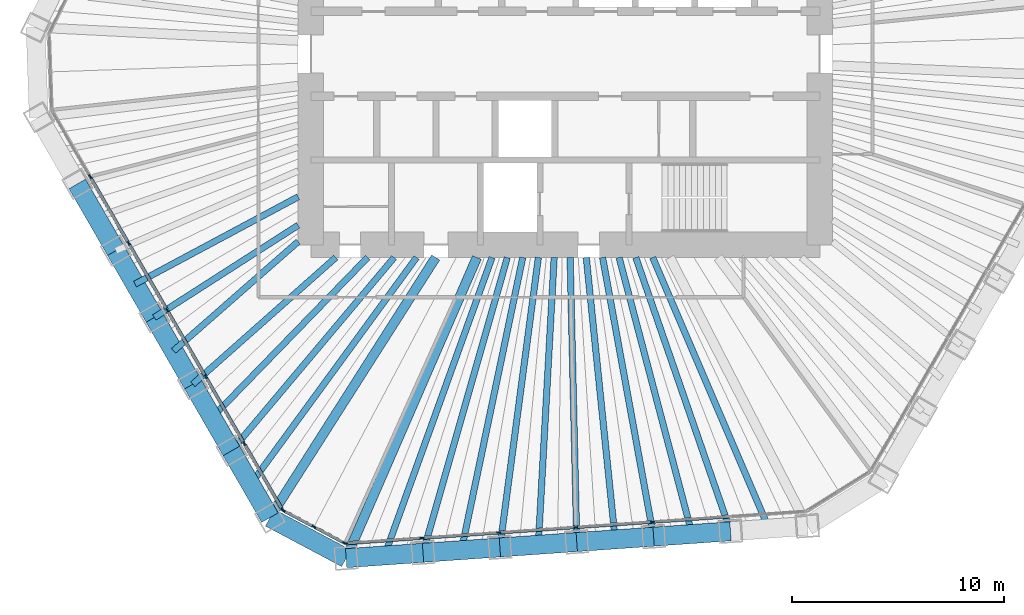
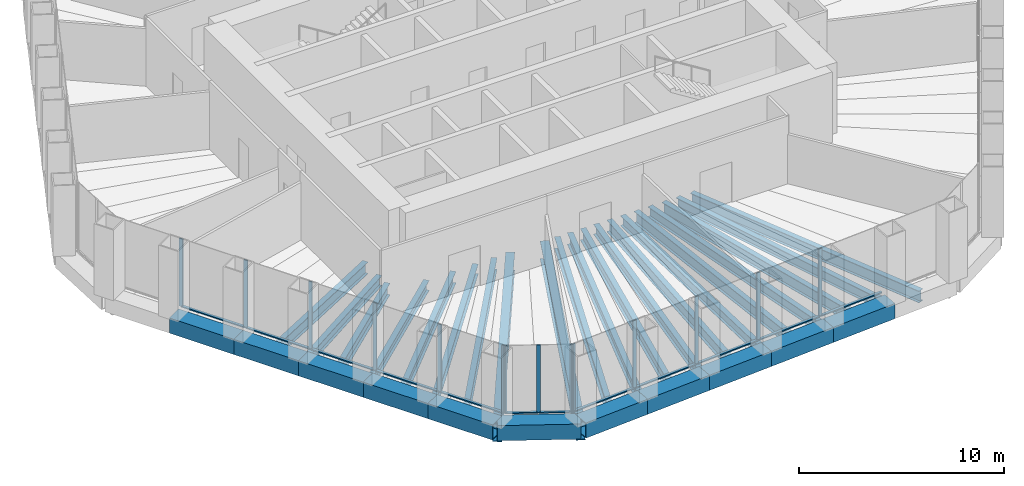
# One storey, part 2 of 14: 31 beams, 26 members, 3 elements without a shape of their own.
"""IFC4 building model written with IfcOpenShell, lengths in metres."""

from ifc_helpers import new_model, si_unit, direction, frame, origin, origin_2d, place, context, subcontext, project, spatial, rectangle, hollow_rectangle, i_section, extrude, material, material_profile, profile_set, type_object, element, aggregate, save


model = new_model("IFC4")

# Units and contexts
model_context = context("Model", 3, precision=1e-05, world=origin(), true_north=direction((0.0, 1.0)))
body_context = subcontext(model_context, "Body", "Model", "MODEL_VIEW")
ifc_project = project(units=[si_unit("LENGTHUNIT", "METRE"), si_unit("AREAUNIT", "SQUARE_METRE"), si_unit("VOLUMEUNIT", "CUBIC_METRE"), si_unit("PLANEANGLEUNIT", "RADIAN"), si_unit("MASSUNIT", "GRAM", prefix="KILO")], contexts=[model_context])

# Site, building, storey
site_placement = place(None, origin())
site = spatial("IfcSite", under=ifc_project, at=site_placement, CompositionType="ELEMENT")
building_placement = place(site_placement, origin())
building = spatial("IfcBuilding", under=site, at=building_placement, Name="Qingtian Harvest Tower", CompositionType="ELEMENT")
storey_placement = place(building_placement, frame((0.0, 0.0, 197.199951171875)))
storey = spatial("IfcBuildingStorey", under=building, at=storey_placement, Name="L42", CompositionType="ELEMENT", Elevation=197.199951171875)

# Beams
ifc_material_1 = material(Name="Steel SM570MC", Category="steel")
ifc_material_profile_1 = material_profile(ifc_material_1, i_section(OverallWidth=0.449951171875, OverallDepth=1.10009765625, WebThickness=0.02197265625, FlangeThickness=0.044921875, at=origin_2d()), Name="H1100x450x22x45")
ifc_profile_set_1 = profile_set([ifc_material_profile_1], Name="Steel SM570MC")
beam_type_1 = type_object("IfcBeamType", Name="Corner floor beam FB8 H1100x450x22x45", PredefinedType="BEAM", material=ifc_profile_set_1)
beam_1_placement = place(storey_placement, frame((-10.33837890625, -23.779052734375, -0.719970703125), z_axis=(0.398714563353, 0.917075077063, 0.0), x_axis=(-0.917075077063, 0.398714563353, 0.0)))
element("IfcBeam", 1, at=beam_1_placement, inside=storey, type_object=beam_type_1, Name="Floor beam FB8 S6", PredefinedType="BEAM", context=body_context, shape_type="SweptSolid", body=[
    extrude(i_section(OverallWidth=0.449951171875, OverallDepth=1.10009765625, WebThickness=0.02197265625, FlangeThickness=0.044921875, at=origin_2d()), origin(), (0.0, 0.0, 1.0), 15.461181640625),
])
beam_2_placement = place(storey_placement, frame((-13.9326171875, -21.8681640625, -0.719970703125), z_axis=(0.537326103898, 0.8433745657, 0.0), x_axis=(-0.8433745657, 0.537326103898, 0.0)))
element("IfcBeam", 2, at=beam_2_placement, inside=storey, type_object=beam_type_1, Name="Floor beam FB8 SW0", PredefinedType="BEAM", context=body_context, shape_type="SweptSolid", body=[
    extrude(i_section(OverallWidth=0.449951171875, OverallDepth=1.10009765625, WebThickness=0.02197265625, FlangeThickness=0.044921875, at=origin_2d()), origin(), (0.0, 0.0, 1.0), 14.54638671875),
])
ifc_material_2 = material(Name="Steel SN490B", Category="steel")
ifc_material_profile_2 = material_profile(ifc_material_2, i_section(OverallWidth=0.300048828125, OverallDepth=0.699951171875, WebThickness=0.012939453125, FlangeThickness=0.02392578125, at=origin_2d()), Name="H700x300x13x24")
ifc_profile_set_2 = profile_set([ifc_material_profile_2], Name="Steel SN490B")
beam_type_2 = type_object("IfcBeamType", Name="Floor beam FB2 H700x300x13x24", PredefinedType="BEAM", material=ifc_profile_set_2)
beam_3_placement = place(storey_placement, frame((-6.713623046875, -23.525634765625, -0.52001953125), z_axis=(0.274411610503, 0.961612327303, 0.0), x_axis=(-0.961612327303, 0.274411610503, 0.0)))
element("IfcBeam", 3, at=beam_3_placement, inside=storey, type_object=beam_type_2, Name="Floor beam FB2 S5", PredefinedType="BEAM", context=body_context, shape_type="SweptSolid", body=[
    extrude(i_section(OverallWidth=0.300048828125, OverallDepth=0.699951171875, WebThickness=0.012939453125, FlangeThickness=0.02392578125, at=origin_2d()), origin(), (0.0, 0.0, 1.0), 14.4814453125),
])
ifc_material_3 = material(Name="Steel SN490B", Category="steel")
ifc_material_profile_3 = material_profile(ifc_material_3, i_section(OverallWidth=0.300048828125, OverallDepth=0.60009765625, WebThickness=0.011962890625, FlangeThickness=0.02001953125, at=origin_2d()), Name="H600x300x12x20")
ifc_profile_set_3 = profile_set([ifc_material_profile_3], Name="Steel SN490B")
beam_type_3 = type_object("IfcBeamType", Name="Floor beam FB3 H600x300x12x20", PredefinedType="BEAM", material=ifc_profile_set_3)
beam_4_placement = place(storey_placement, frame((7.78515625, -22.51171875, -0.469970703125), z_axis=(-0.326844175409, 0.945078242793, 0.0), x_axis=(-0.945078242793, -0.326844175409, 0.0)))
element("IfcBeam", 4, at=beam_4_placement, inside=storey, type_object=beam_type_3, Name="Floor beam FB3 S1", PredefinedType="BEAM", context=body_context, shape_type="SweptSolid", body=[
    extrude(i_section(OverallWidth=0.300048828125, OverallDepth=0.60009765625, WebThickness=0.011962890625, FlangeThickness=0.02001953125, at=origin_2d()), origin(), (0.0, 0.0, 1.0), 13.661865234375),
])
beam_5_placement = place(storey_placement, frame((4.160400390625, -22.76513671875, -0.469970703125), z_axis=(-0.179779537209, 0.983706926885, 0.0), x_axis=(-0.983706926885, -0.179779537209, 0.0)))
element("IfcBeam", 5, at=beam_5_placement, inside=storey, type_object=beam_type_3, Name="Floor beam FB3 S2", PredefinedType="BEAM", context=body_context, shape_type="SweptSolid", body=[
    extrude(i_section(OverallWidth=0.300048828125, OverallDepth=0.60009765625, WebThickness=0.011962890625, FlangeThickness=0.02001953125, at=origin_2d()), origin(), (0.0, 0.0, 1.0), 13.383056640625),
])
beam_6_placement = place(storey_placement, frame((0.53564453125, -23.018798828125, -0.469970703125), z_axis=(-0.023263902078, 0.999729358807, 0.0), x_axis=(-0.999729358807, -0.023263902078, 0.0)))
element("IfcBeam", 6, at=beam_6_placement, inside=storey, type_object=beam_type_3, Name="Floor beam FB3 S3", PredefinedType="BEAM", context=body_context, shape_type="SweptSolid", body=[
    extrude(i_section(OverallWidth=0.300048828125, OverallDepth=0.60009765625, WebThickness=0.011962890625, FlangeThickness=0.02001953125, at=origin_2d()), origin(), (0.0, 0.0, 1.0), 13.42236328125),
])
beam_7_placement = place(storey_placement, frame((-3.089111328125, -23.272216796875, -0.469970703125), z_axis=(0.131593229442, 0.991303799027, 0.0), x_axis=(-0.991303799027, 0.131593229442, 0.0)))
element("IfcBeam", 7, at=beam_7_placement, inside=storey, type_object=beam_type_3, Name="Floor beam FB3 S4", PredefinedType="BEAM", context=body_context, shape_type="SweptSolid", body=[
    extrude(i_section(OverallWidth=0.300048828125, OverallDepth=0.60009765625, WebThickness=0.011962890625, FlangeThickness=0.02001953125, at=origin_2d()), origin(), (0.0, 0.0, 1.0), 13.7919921875),
])
beam_8_placement = place(storey_placement, frame((-15.749267578125, -18.72119140625, -0.469970703125), z_axis=(0.643763532906, 0.765224485821, 0.0), x_axis=(-0.765224485821, 0.643763532906, 0.0)))
element("IfcBeam", 8, at=beam_8_placement, inside=storey, type_object=beam_type_3, Name="Floor beam FB3 SW1", PredefinedType="BEAM", context=body_context, shape_type="SweptSolid", body=[
    extrude(i_section(OverallWidth=0.300048828125, OverallDepth=0.60009765625, WebThickness=0.011962890625, FlangeThickness=0.02001953125, at=origin_2d()), origin(), (0.0, 0.0, 1.0), 11.91943359375),
])
beam_9_placement = place(storey_placement, frame((-17.566162109375, -15.574462890625, -0.469970703125), z_axis=(0.748259768664, 0.663405847577, 0.0), x_axis=(-0.663405847577, 0.748259768664, 0.0)))
element("IfcBeam", 9, at=beam_9_placement, inside=storey, type_object=beam_type_3, Name="Floor beam FB3 SW2", PredefinedType="BEAM", context=body_context, shape_type="SweptSolid", body=[
    extrude(i_section(OverallWidth=0.300048828125, OverallDepth=0.60009765625, WebThickness=0.011962890625, FlangeThickness=0.02001953125, at=origin_2d()), origin(), (0.0, 0.0, 1.0), 9.005615234375),
])
beam_10_placement = place(storey_placement, frame((-19.3828125, -12.427734375, -0.469970703125), z_axis=(0.841823714388, 0.539752567288, 0.0), x_axis=(-0.539752567288, 0.841823714388, 0.0)))
element("IfcBeam", 10, at=beam_10_placement, inside=storey, type_object=beam_type_3, Name="Floor beam FB3 SW3", PredefinedType="BEAM", context=body_context, shape_type="SweptSolid", body=[
    extrude(i_section(OverallWidth=0.300048828125, OverallDepth=0.60009765625, WebThickness=0.011962890625, FlangeThickness=0.02001953125, at=origin_2d()), origin(), (0.0, 0.0, 1.0), 8.05712890625),
])
ifc_material_4 = material(Name="Steel SN490B", Category="steel")
ifc_material_profile_4 = material_profile(ifc_material_4, i_section(OverallWidth=0.300048828125, OverallDepth=0.699951171875, WebThickness=0.012939453125, FlangeThickness=0.02392578125, at=origin_2d()), Name="H700x300x13x24")
ifc_profile_set_4 = profile_set([ifc_material_profile_4], Name="Steel SN490B")
beam_type_4 = type_object("IfcBeamType", Name="Floor joist J2 H700x300x13x24", PredefinedType="JOIST", material=ifc_profile_set_4)
beam_11_placement = place(storey_placement, frame((9.597412109375, -22.385009765625, -0.52001953125), z_axis=(-0.394052741766, 0.919087828614, 0.0), x_axis=(-0.919087828614, -0.394052741766, 0.0)))
element("IfcBeam", 11, at=beam_11_placement, inside=storey, type_object=beam_type_4, Name="Floor joist J2 S0", PredefinedType="JOIST", context=body_context, shape_type="SweptSolid", body=[
    extrude(i_section(OverallWidth=0.300048828125, OverallDepth=0.699951171875, WebThickness=0.012939453125, FlangeThickness=0.02392578125, at=origin_2d()), origin(), (0.0, 0.0, 1.0), 13.910400390625),
])
beam_12_placement = place(storey_placement, frame((5.97265625, -22.638427734375, -0.52001953125), z_axis=(-0.255103716232, 0.9669136952, 0.0), x_axis=(-0.9669136952, -0.255103716232, 0.0)))
element("IfcBeam", 12, at=beam_12_placement, inside=storey, type_object=beam_type_4, Name="Floor joist J2 S1", PredefinedType="JOIST", context=body_context, shape_type="SweptSolid", body=[
    extrude(i_section(OverallWidth=0.300048828125, OverallDepth=0.699951171875, WebThickness=0.012939453125, FlangeThickness=0.02392578125, at=origin_2d()), origin(), (0.0, 0.0, 1.0), 13.484375),
])
beam_13_placement = place(storey_placement, frame((2.347900390625, -22.89208984375, -0.52001953125), z_axis=(-0.102028865499, 0.994781438611, 0.0), x_axis=(-0.994781438611, -0.102028865499, 0.0)))
element("IfcBeam", 13, at=beam_13_placement, inside=storey, type_object=beam_type_4, Name="Floor joist J2 S2", PredefinedType="JOIST", context=body_context, shape_type="SweptSolid", body=[
    extrude(i_section(OverallWidth=0.300048828125, OverallDepth=0.699951171875, WebThickness=0.012939453125, FlangeThickness=0.02392578125, at=origin_2d()), origin(), (0.0, 0.0, 1.0), 13.36181640625),
])
beam_14_placement = place(storey_placement, frame((-1.276611328125, -23.1455078125, -0.52001953125), z_axis=(0.055069329716, 0.998482533109, 0.0), x_axis=(-0.998482533109, 0.055069329716, 0.0)))
element("IfcBeam", 14, at=beam_14_placement, inside=storey, type_object=beam_type_4, Name="Floor joist J2 S3", PredefinedType="JOIST", context=body_context, shape_type="SweptSolid", body=[
    extrude(i_section(OverallWidth=0.300048828125, OverallDepth=0.699951171875, WebThickness=0.012939453125, FlangeThickness=0.02392578125, at=origin_2d()), origin(), (0.0, 0.0, 1.0), 13.56591796875),
])
beam_15_placement = place(storey_placement, frame((-4.9013671875, -23.39892578125, -0.52001953125), z_axis=(0.205016322093, 0.978758554331, 0.0), x_axis=(-0.978758554331, 0.205016322093, 0.0)))
element("IfcBeam", 15, at=beam_15_placement, inside=storey, type_object=beam_type_4, Name="Floor joist J2 S4", PredefinedType="JOIST", context=body_context, shape_type="SweptSolid", body=[
    extrude(i_section(OverallWidth=0.300048828125, OverallDepth=0.699951171875, WebThickness=0.012939453125, FlangeThickness=0.02392578125, at=origin_2d()), origin(), (0.0, 0.0, 1.0), 14.098388671875),
])
beam_16_placement = place(storey_placement, frame((-8.526123046875, -23.65234375, -0.52001953125), z_axis=(0.339126305921, 0.940740850943, 0.0), x_axis=(-0.940740850943, 0.339126305921, 0.0)))
element("IfcBeam", 16, at=beam_16_placement, inside=storey, type_object=beam_type_4, Name="Floor joist J2 S5", PredefinedType="JOIST", context=body_context, shape_type="SweptSolid", body=[
    extrude(i_section(OverallWidth=0.300048828125, OverallDepth=0.699951171875, WebThickness=0.012939453125, FlangeThickness=0.02392578125, at=origin_2d()), origin(), (0.0, 0.0, 1.0), 14.9375),
])
beam_17_placement = place(storey_placement, frame((-14.841064453125, -20.294677734375, -0.52001953125), z_axis=(0.590288677526, 0.807192218238, 0.0), x_axis=(-0.807192218238, 0.590288677526, 0.0)))
element("IfcBeam", 17, at=beam_17_placement, inside=storey, type_object=beam_type_4, Name="Floor joist J2 SW0", PredefinedType="JOIST", context=body_context, shape_type="SweptSolid", body=[
    extrude(i_section(OverallWidth=0.300048828125, OverallDepth=0.699951171875, WebThickness=0.012939453125, FlangeThickness=0.02392578125, at=origin_2d()), origin(), (0.0, 0.0, 1.0), 13.2490234375),
])
beam_18_placement = place(storey_placement, frame((-16.65771484375, -17.14794921875, -0.52001953125), z_axis=(0.696777499009, 0.717287332158, 0.0), x_axis=(-0.717287332158, 0.696777499009, 0.0)))
element("IfcBeam", 18, at=beam_18_placement, inside=storey, type_object=beam_type_4, Name="Floor joist J2 SW1", PredefinedType="JOIST", context=body_context, shape_type="SweptSolid", body=[
    extrude(i_section(OverallWidth=0.300048828125, OverallDepth=0.699951171875, WebThickness=0.012939453125, FlangeThickness=0.02392578125, at=origin_2d()), origin(), (0.0, 0.0, 1.0), 10.522705078125),
])
beam_19_placement = place(storey_placement, frame((-18.474609375, -14.001220703125, -0.52001953125), z_axis=(0.751883296969, 0.659296221542, 0.0), x_axis=(-0.659296221542, 0.751883296969, 0.0)))
element("IfcBeam", 19, at=beam_19_placement, inside=storey, type_object=beam_type_4, Name="Floor joist J2 SW2", PredefinedType="JOIST", context=body_context, shape_type="SweptSolid", body=[
    extrude(i_section(OverallWidth=0.300048828125, OverallDepth=0.699951171875, WebThickness=0.012939453125, FlangeThickness=0.02392578125, at=origin_2d()), origin(), (0.0, 0.0, 1.0), 7.81298828125),
])
beam_20_placement = place(storey_placement, frame((-20.291259765625, -10.8544921875, -0.52001953125), z_axis=(0.881766503154, 0.471686160402, 0.0), x_axis=(-0.471686160402, 0.881766503154, 0.0)))
element("IfcBeam", 20, at=beam_20_placement, inside=storey, type_object=beam_type_4, Name="Floor joist J2 SW3", PredefinedType="JOIST", context=body_context, shape_type="SweptSolid", body=[
    extrude(i_section(OverallWidth=0.300048828125, OverallDepth=0.699951171875, WebThickness=0.012939453125, FlangeThickness=0.02392578125, at=origin_2d()), origin(), (0.0, 0.0, 1.0), 8.722412109375),
])

# Curtain wall, members
ifc_material_5 = material(Name="Bronze-anodised aluminium curtain wall", Category="aluminium")
curtain_wall_type = type_object("IfcCurtainWallType", Name="Curtain wall CW4 office", PredefinedType="USERDEFINED", material=ifc_material_5)
curtain_wall_1_placement = place(storey_placement, origin())
curtain_wall_1 = element("IfcCurtainWall", 21, at=curtain_wall_1_placement, inside=storey, type_object=curtain_wall_type, Name="Curtain wall CW4 L42 S0-5", ObjectType="RECESSED CURTAIN WALL", PredefinedType="USERDEFINED")
ifc_material_6 = material(Name="Bronze-anodised aluminium mullion", Category="aluminium")
ifc_material_profile_5 = material_profile(ifc_material_6, rectangle(XDim=0.06494140625, YDim=0.199951171875, at=origin_2d()), Name="AL 65x200")
ifc_profile_set_5 = profile_set([ifc_material_profile_5], Name="Bronze-anodised aluminium mullion")
member_type_1 = type_object("IfcMemberType", Name="Mullion CWM 65x200", PredefinedType="MULLION", material=ifc_profile_set_5)
member_1_placement = place(storey_placement, frame((4.111572265625, -22.06689453125, 0.0), z_axis=(0.0, 0.0, 1.0), x_axis=(0.069756473744, -0.99756405026, 0.0)))
member_1 = element("IfcMember", 22, at=member_1_placement, type_object=member_type_1, Name="CW4 mullion 3", PredefinedType="MULLION", context=body_context, shape_type="SweptSolid", body=[
    extrude(rectangle(XDim=0.06494140625, YDim=0.199951171875, at=origin_2d()), origin(), (0.0, 0.0, 1.0), 4.030029296875),
])
member_2_placement = place(storey_placement, frame((0.48681640625, -22.3203125, 0.0), z_axis=(0.0, 0.0, 1.0), x_axis=(0.069756473744, -0.99756405026, 0.0)))
member_2 = element("IfcMember", 23, at=member_2_placement, type_object=member_type_1, Name="CW4 mullion 4", PredefinedType="MULLION", context=body_context, shape_type="SweptSolid", body=[
    extrude(rectangle(XDim=0.06494140625, YDim=0.199951171875, at=origin_2d()), origin(), (0.0, 0.0, 1.0), 4.030029296875),
])
member_3_placement = place(storey_placement, frame((-3.137939453125, -22.573974609375, 0.0), z_axis=(0.0, 0.0, 1.0), x_axis=(0.069756473744, -0.99756405026, 0.0)))
member_3 = element("IfcMember", 24, at=member_3_placement, type_object=member_type_1, Name="CW4 mullion 5", PredefinedType="MULLION", context=body_context, shape_type="SweptSolid", body=[
    extrude(rectangle(XDim=0.06494140625, YDim=0.199951171875, at=origin_2d()), origin(), (0.0, 0.0, 1.0), 4.030029296875),
])
member_4_placement = place(storey_placement, frame((-6.762451171875, -22.827392578125, 0.0), z_axis=(0.0, 0.0, 1.0), x_axis=(0.069756473744, -0.99756405026, 0.0)))
member_4 = element("IfcMember", 25, at=member_4_placement, type_object=member_type_1, Name="CW4 mullion 6", PredefinedType="MULLION", context=body_context, shape_type="SweptSolid", body=[
    extrude(rectangle(XDim=0.06494140625, YDim=0.199951171875, at=origin_2d()), origin(), (0.0, 0.0, 1.0), 4.030029296875),
])
member_5_placement = place(storey_placement, frame((-10.354736328125, -23.07861328125, 0.0), z_axis=(0.0, 0.0, 1.0), x_axis=(0.069756473744, -0.99756405026, 0.0)))
member_5 = element("IfcMember", 26, at=member_5_placement, type_object=member_type_1, Name="CW4 mullion 7", PredefinedType="MULLION", context=body_context, shape_type="SweptSolid", body=[
    extrude(rectangle(XDim=0.06494140625, YDim=0.199951171875, at=origin_2d()), origin(), (0.0, 0.0, 1.0), 4.030029296875),
])

curtain_wall_2_placement = place(storey_placement, origin())
curtain_wall_2 = element("IfcCurtainWall", 27, at=curtain_wall_2_placement, inside=storey, type_object=curtain_wall_type, Name="Curtain wall CW4 L42 SC", ObjectType="RECESSED CURTAIN WALL", PredefinedType="USERDEFINED")
member_6_placement = place(storey_placement, frame((-10.416015625, -23.0654296875, 0.0), z_axis=(0.0, 0.0, 1.0), x_axis=(-0.469471562786, -0.882947592859, 0.0)))
member_6 = element("IfcMember", 28, at=member_6_placement, type_object=member_type_1, Name="CW4 mullion 1", PredefinedType="MULLION", context=body_context, shape_type="SweptSolid", body=[
    extrude(rectangle(XDim=0.06494140625, YDim=0.199951171875, at=origin_2d()), origin(), (0.0, 0.0, 1.0), 4.030029296875),
])
member_7_placement = place(storey_placement, frame((-11.85693359375, -22.29931640625, 0.0), z_axis=(0.0, 0.0, 1.0), x_axis=(-0.469471562786, -0.882947592859, 0.0)))
member_7 = element("IfcMember", 29, at=member_7_placement, type_object=member_type_1, Name="CW4 mullion 2", PredefinedType="MULLION", context=body_context, shape_type="SweptSolid", body=[
    extrude(rectangle(XDim=0.06494140625, YDim=0.199951171875, at=origin_2d()), origin(), (0.0, 0.0, 1.0), 4.030029296875),
])
member_8_placement = place(storey_placement, frame((-13.297607421875, -21.533203125, 0.0), z_axis=(0.0, 0.0, 1.0), x_axis=(-0.469471562786, -0.882947592859, 0.0)))
member_8 = element("IfcMember", 30, at=member_8_placement, type_object=member_type_1, Name="CW4 mullion 3", PredefinedType="MULLION", context=body_context, shape_type="SweptSolid", body=[
    extrude(rectangle(XDim=0.06494140625, YDim=0.199951171875, at=origin_2d()), origin(), (0.0, 0.0, 1.0), 4.030029296875),
])

curtain_wall_3_placement = place(storey_placement, origin())
curtain_wall_3 = element("IfcCurtainWall", 31, at=curtain_wall_3_placement, inside=storey, type_object=curtain_wall_type, Name="Curtain wall CW4 L42 SW0-5", ObjectType="RECESSED CURTAIN WALL", PredefinedType="USERDEFINED")
member_9_placement = place(storey_placement, frame((-13.342529296875, -21.489990234375, 0.0), z_axis=(0.0, 0.0, 1.0), x_axis=(-0.866025403784, -0.5, 0.0)))
member_9 = element("IfcMember", 32, at=member_9_placement, type_object=member_type_1, Name="CW4 mullion 1", PredefinedType="MULLION", context=body_context, shape_type="SweptSolid", body=[
    extrude(rectangle(XDim=0.06494140625, YDim=0.199951171875, at=origin_2d()), origin(), (0.0, 0.0, 1.0), 4.030029296875),
])
member_10_placement = place(storey_placement, frame((-15.14306640625, -18.371337890625, 0.0), z_axis=(0.0, 0.0, 1.0), x_axis=(-0.866025403784, -0.5, 0.0)))
member_10 = element("IfcMember", 33, at=member_10_placement, type_object=member_type_1, Name="CW4 mullion 2", PredefinedType="MULLION", context=body_context, shape_type="SweptSolid", body=[
    extrude(rectangle(XDim=0.06494140625, YDim=0.199951171875, at=origin_2d()), origin(), (0.0, 0.0, 1.0), 4.030029296875),
])
member_11_placement = place(storey_placement, frame((-16.9599609375, -15.224609375, 0.0), z_axis=(0.0, 0.0, 1.0), x_axis=(-0.866025403784, -0.5, 0.0)))
member_11 = element("IfcMember", 34, at=member_11_placement, type_object=member_type_1, Name="CW4 mullion 3", PredefinedType="MULLION", context=body_context, shape_type="SweptSolid", body=[
    extrude(rectangle(XDim=0.06494140625, YDim=0.199951171875, at=origin_2d()), origin(), (0.0, 0.0, 1.0), 4.030029296875),
])
member_12_placement = place(storey_placement, frame((-18.776611328125, -12.077880859375, 0.0), z_axis=(0.0, 0.0, 1.0), x_axis=(-0.866025403784, -0.5, 0.0)))
member_12 = element("IfcMember", 35, at=member_12_placement, type_object=member_type_1, Name="CW4 mullion 4", PredefinedType="MULLION", context=body_context, shape_type="SweptSolid", body=[
    extrude(rectangle(XDim=0.06494140625, YDim=0.199951171875, at=origin_2d()), origin(), (0.0, 0.0, 1.0), 4.030029296875),
])
member_13_placement = place(storey_placement, frame((-20.593505859375, -8.93115234375, 0.0), z_axis=(0.0, 0.0, 1.0), x_axis=(-0.866025403784, -0.5, 0.0)))
member_13 = element("IfcMember", 36, at=member_13_placement, type_object=member_type_1, Name="CW4 mullion 5", PredefinedType="MULLION", context=body_context, shape_type="SweptSolid", body=[
    extrude(rectangle(XDim=0.06494140625, YDim=0.199951171875, at=origin_2d()), origin(), (0.0, 0.0, 1.0), 4.030029296875),
])
member_14_placement = place(storey_placement, frame((-22.41015625, -5.784423828125, 0.0), z_axis=(0.0, 0.0, 1.0), x_axis=(-0.866025403784, -0.5, 0.0)))
member_14 = element("IfcMember", 37, at=member_14_placement, type_object=member_type_1, Name="CW4 mullion 6", PredefinedType="MULLION", context=body_context, shape_type="SweptSolid", body=[
    extrude(rectangle(XDim=0.06494140625, YDim=0.199951171875, at=origin_2d()), origin(), (0.0, 0.0, 1.0), 4.030029296875),
])

# Beams
ifc_material_7 = material(Name="Steel SM570MC", Category="steel")
ifc_material_profile_6 = material_profile(ifc_material_7, hollow_rectangle(XDim=0.89990234375, YDim=0.89990234375, WallThickness=0.050048828125, at=origin_2d()), Name="BOX900x900x50")
ifc_profile_set_6 = profile_set([ifc_material_profile_6], Name="Steel SM570MC")
beam_type_5 = type_object("IfcBeamType", Name="Transition spandrel SB6 BOX900x900x50", PredefinedType="SPANDREL", material=ifc_profile_set_6)
for number, where, z_axis, x_axis, name in (
    (38, (7.78515625, -22.51171875, -0.449951171875), (-0.997565001055, -0.069742875402, 0.0), (0.069742875402, -0.997565001055, 0.0), "Spandrel SB6 S1"),
    (39, (4.160400390625, -22.76513671875, -0.449951171875), (-0.997560324246, -0.069809737785, 0.0), (0.069809737785, -0.997560324246, 0.0), "Spandrel SB6 S2"),
    (40, (0.53564453125, -23.018798828125, -0.449951171875), (-0.997565001055, -0.069742875402, 0.0), (0.069742875402, -0.997565001055, 0.0), "Spandrel SB6 S3"),
):
    element("IfcBeam", number, at=place(storey_placement, frame(where, z_axis=z_axis, x_axis=x_axis)), inside=storey, type_object=beam_type_5, Name=name, PredefinedType="SPANDREL", context=body_context, shape_type="SweptSolid", body=[
        extrude(hollow_rectangle(XDim=0.89990234375, YDim=0.89990234375, WallThickness=0.050048828125, at=origin_2d()), origin(), (0.0, 0.0, 1.0), 3.633544921875),
    ])
beam_21_placement = place(storey_placement, frame((-3.089111328125, -23.272216796875, -0.449951171875), z_axis=(-0.997564674207, -0.069747550305, 0.0), x_axis=(0.069747550305, -0.997564674207, 0.0)))
element("IfcBeam", 41, at=beam_21_placement, inside=storey, type_object=beam_type_5, Name="Spandrel SB6 S4", PredefinedType="SPANDREL", context=body_context, shape_type="SweptSolid", body=[
    extrude(hollow_rectangle(XDim=0.89990234375, YDim=0.89990234375, WallThickness=0.050048828125, at=origin_2d()), origin(), (0.0, 0.0, 1.0), 3.63330078125),
])
beam_22_placement = place(storey_placement, frame((-6.713623046875, -23.525634765625, -0.449951171875), z_axis=(-0.997565001055, -0.069742875402, 0.0), x_axis=(0.069742875402, -0.997565001055, 0.0)))
element("IfcBeam", 42, at=beam_22_placement, inside=storey, type_object=beam_type_5, Name="Spandrel SB6 S5", PredefinedType="SPANDREL", context=body_context, shape_type="SweptSolid", body=[
    extrude(hollow_rectangle(XDim=0.89990234375, YDim=0.89990234375, WallThickness=0.050048828125, at=origin_2d()), origin(), (0.0, 0.0, 1.0), 3.633544921875),
])
beam_23_placement = place(storey_placement, frame((-10.33837890625, -23.779052734375, -0.449951171875), z_axis=(-0.882968133669, 0.469432929101, 0.0), x_axis=(-0.469432929101, -0.882968133669, 0.0)))
element("IfcBeam", 43, at=beam_23_placement, inside=storey, type_object=beam_type_5, Name="Spandrel SB6 SC", PredefinedType="SPANDREL", context=body_context, shape_type="SweptSolid", body=[
    extrude(hollow_rectangle(XDim=0.89990234375, YDim=0.89990234375, WallThickness=0.050048828125, at=origin_2d()), origin(), (0.0, 0.0, 1.0), 4.070556640625),
])
beam_24_placement = place(storey_placement, frame((-13.9326171875, -21.8681640625, -0.449951171875), z_axis=(-0.499947341849, 0.866055803848, 0.0), x_axis=(-0.866055803848, -0.499947341849, 0.0)))
element("IfcBeam", 44, at=beam_24_placement, inside=storey, type_object=beam_type_5, Name="Spandrel SB6 SW0", PredefinedType="SPANDREL", context=body_context, shape_type="SweptSolid", body=[
    extrude(hollow_rectangle(XDim=0.89990234375, YDim=0.89990234375, WallThickness=0.050048828125, at=origin_2d()), origin(), (0.0, 0.0, 1.0), 3.6337890625),
])
for number, where, z_axis, x_axis, name in (
    (45, (-15.749267578125, -18.72119140625, -0.449951171875), (-0.500026827678, 0.866009914263, 0.0), (-0.866009914263, -0.500026827678, 0.0), "Spandrel SB6 SW1"),
    (46, (-17.566162109375, -15.574462890625, -0.449951171875), (-0.499976434558, 0.866039008871, 0.0), (-0.866039008871, -0.499976434558, 0.0), "Spandrel SB6 SW2"),
    (47, (-19.3828125, -12.427734375, -0.449951171875), (-0.500026827678, 0.866009914263, 0.0), (-0.866009914263, -0.500026827678, 0.0), "Spandrel SB6 SW3"),
    (48, (-21.19970703125, -9.281005859375, -0.449951171875), (-0.499976434558, 0.866039008871, 0.0), (-0.866039008871, -0.499976434558, 0.0), "Spandrel SB6 SW4"),
):
    element("IfcBeam", number, at=place(storey_placement, frame(where, z_axis=z_axis, x_axis=x_axis)), inside=storey, type_object=beam_type_5, Name=name, PredefinedType="SPANDREL", context=body_context, shape_type="SweptSolid", body=[
        extrude(hollow_rectangle(XDim=0.89990234375, YDim=0.89990234375, WallThickness=0.050048828125, at=origin_2d()), origin(), (0.0, 0.0, 1.0), 3.633544921875),
    ])

# Member
ifc_material_8 = material(Name="Bronze-anodised aluminium transom", Category="aluminium")
ifc_material_profile_7 = material_profile(ifc_material_8, rectangle(XDim=0.14990234375, YDim=0.06494140625, at=origin_2d()), Name="AL 65x150")
ifc_profile_set_7 = profile_set([ifc_material_profile_7], Name="Bronze-anodised aluminium transom")
member_type_2 = type_object("IfcMemberType", Name="Transom CWT 65x150", PredefinedType="USERDEFINED", material=ifc_profile_set_7)
member_15_placement = place(storey_placement, frame((7.703857421875, -21.815673828125, 0.032470703125), z_axis=(-0.997562159126, -0.069783512949, 0.0), x_axis=(0.069783512949, -0.997562159126, 0.0)))
member_15 = element("IfcMember", 49, at=member_15_placement, type_object=member_type_2, Name="CW4 transom 2.1", ObjectType="TRANSOM", PredefinedType="USERDEFINED", context=body_context, shape_type="SweptSolid", body=[
    extrude(rectangle(XDim=0.14990234375, YDim=0.06494140625, at=origin_2d()), origin(), (0.0, 0.0, 1.0), 3.568603515625),
])

member_16_placement = place(storey_placement, frame((4.0791015625, -22.0693359375, 0.032470703125), z_axis=(-0.99756691944, -0.069715430417, 0.0), x_axis=(0.069715430417, -0.99756691944, 0.0)))
member_16 = element("IfcMember", 50, at=member_16_placement, type_object=member_type_2, Name="CW4 transom 3.1", ObjectType="TRANSOM", PredefinedType="USERDEFINED", context=body_context, shape_type="SweptSolid", body=[
    extrude(rectangle(XDim=0.14990234375, YDim=0.06494140625, at=origin_2d()), origin(), (0.0, 0.0, 1.0), 3.568603515625),
])

member_17_placement = place(storey_placement, frame((0.454345703125, -22.32275390625, 0.032470703125), z_axis=(-0.99756691944, -0.069715430417, 0.0), x_axis=(0.069715430417, -0.99756691944, 0.0)))
member_17 = element("IfcMember", 51, at=member_17_placement, type_object=member_type_2, Name="CW4 transom 4.1", ObjectType="TRANSOM", PredefinedType="USERDEFINED", context=body_context, shape_type="SweptSolid", body=[
    extrude(rectangle(XDim=0.14990234375, YDim=0.06494140625, at=origin_2d()), origin(), (0.0, 0.0, 1.0), 3.568603515625),
])

member_18_placement = place(storey_placement, frame((-3.170166015625, -22.576171875, 0.032470703125), z_axis=(-0.997567251922, -0.069710672727, 0.0), x_axis=(0.069710672727, -0.997567251922, 0.0)))
member_18 = element("IfcMember", 52, at=member_18_placement, type_object=member_type_2, Name="CW4 transom 5.1", ObjectType="TRANSOM", PredefinedType="USERDEFINED", context=body_context, shape_type="SweptSolid", body=[
    extrude(rectangle(XDim=0.14990234375, YDim=0.06494140625, at=origin_2d()), origin(), (0.0, 0.0, 1.0), 3.56884765625),
])

member_19_placement = place(storey_placement, frame((-6.794921875, -22.82958984375, 0.032470703125), z_axis=(-0.997565839557, -0.069730880888, 0.0), x_axis=(0.069730880888, -0.997565839557, 0.0)))
member_19 = element("IfcMember", 53, at=member_19_placement, type_object=member_type_2, Name="CW4 transom 6.1", ObjectType="TRANSOM", PredefinedType="USERDEFINED", context=body_context, shape_type="SweptSolid", body=[
    extrude(rectangle(XDim=0.14990234375, YDim=0.06494140625, at=origin_2d()), origin(), (0.0, 0.0, 1.0), 3.5361328125),
])

aggregate(curtain_wall_1, [member_1, member_2, member_3, member_4, member_5, member_15, member_16, member_17, member_18, member_19])

member_20_placement = place(storey_placement, frame((-10.444580078125, -23.05029296875, 0.032470703125), z_axis=(-0.882960338349, 0.46944759122, 0.0), x_axis=(-0.46944759122, -0.882960338349, 0.0)))
member_20 = element("IfcMember", 54, at=member_20_placement, type_object=member_type_2, Name="CW4 transom 1.1", ObjectType="TRANSOM", PredefinedType="USERDEFINED", context=body_context, shape_type="SweptSolid", body=[
    extrude(rectangle(XDim=0.14990234375, YDim=0.06494140625, at=origin_2d()), origin(), (0.0, 0.0, 1.0), 1.56689453125),
])

member_21_placement = place(storey_placement, frame((-11.885498046875, -22.2841796875, 0.032470703125), z_axis=(-0.882960338349, 0.46944759122, 0.0), x_axis=(-0.46944759122, -0.882960338349, 0.0)))
member_21 = element("IfcMember", 55, at=member_21_placement, type_object=member_type_2, Name="CW4 transom 2.1", ObjectType="TRANSOM", PredefinedType="USERDEFINED", context=body_context, shape_type="SweptSolid", body=[
    extrude(rectangle(XDim=0.14990234375, YDim=0.06494140625, at=origin_2d()), origin(), (0.0, 0.0, 1.0), 1.56689453125),
])

aggregate(curtain_wall_2, [member_6, member_7, member_8, member_20, member_21])

member_22_placement = place(storey_placement, frame((-13.35888671875, -21.461669921875, 0.032470703125), z_axis=(-0.500015305566, 0.866016566931, 0.0), x_axis=(-0.866016566931, -0.500015305566, 0.0)))
member_22 = element("IfcMember", 56, at=member_22_placement, type_object=member_type_2, Name="CW4 transom 1.1", ObjectType="TRANSOM", PredefinedType="USERDEFINED", context=body_context, shape_type="SweptSolid", body=[
    extrude(rectangle(XDim=0.14990234375, YDim=0.06494140625, at=origin_2d()), origin(), (0.0, 0.0, 1.0), 3.5361328125),
])

member_23_placement = place(storey_placement, frame((-15.159423828125, -18.34326171875, 0.032470703125), z_axis=(-0.499965259726, 0.866045460162, 0.0), x_axis=(-0.866045460162, -0.499965259726, 0.0)))
member_23 = element("IfcMember", 57, at=member_23_placement, type_object=member_type_2, Name="CW4 transom 2.1", ObjectType="TRANSOM", PredefinedType="USERDEFINED", context=body_context, shape_type="SweptSolid", body=[
    extrude(rectangle(XDim=0.14990234375, YDim=0.06494140625, at=origin_2d()), origin(), (0.0, 0.0, 1.0), 3.568603515625),
])

member_24_placement = place(storey_placement, frame((-16.97607421875, -15.1962890625, 0.032470703125), z_axis=(-0.500046194516, 0.865998731726, 0.0), x_axis=(-0.865998731726, -0.500046194516, 0.0)))
member_24 = element("IfcMember", 58, at=member_24_placement, type_object=member_type_2, Name="CW4 transom 3.1", ObjectType="TRANSOM", PredefinedType="USERDEFINED", context=body_context, shape_type="SweptSolid", body=[
    extrude(rectangle(XDim=0.14990234375, YDim=0.06494140625, at=origin_2d()), origin(), (0.0, 0.0, 1.0), 3.568603515625),
])

member_25_placement = place(storey_placement, frame((-18.79296875, -12.049560546875, 0.032470703125), z_axis=(-0.499994883695, 0.866028357664, 0.0), x_axis=(-0.866028357664, -0.499994883695, 0.0)))
member_25 = element("IfcMember", 59, at=member_25_placement, type_object=member_type_2, Name="CW4 transom 4.1", ObjectType="TRANSOM", PredefinedType="USERDEFINED", context=body_context, shape_type="SweptSolid", body=[
    extrude(rectangle(XDim=0.14990234375, YDim=0.06494140625, at=origin_2d()), origin(), (0.0, 0.0, 1.0), 3.568359375),
])

member_26_placement = place(storey_placement, frame((-20.609619140625, -8.90283203125, 0.032470703125), z_axis=(-0.500046194516, 0.865998731726, 0.0), x_axis=(-0.865998731726, -0.500046194516, 0.0)))
member_26 = element("IfcMember", 60, at=member_26_placement, type_object=member_type_2, Name="CW4 transom 5.1", ObjectType="TRANSOM", PredefinedType="USERDEFINED", context=body_context, shape_type="SweptSolid", body=[
    extrude(rectangle(XDim=0.14990234375, YDim=0.06494140625, at=origin_2d()), origin(), (0.0, 0.0, 1.0), 3.568603515625),
])

aggregate(curtain_wall_3, [member_9, member_10, member_11, member_12, member_13, member_14, member_22, member_23, member_24, member_25, member_26])

save(model, "model.ifc")
